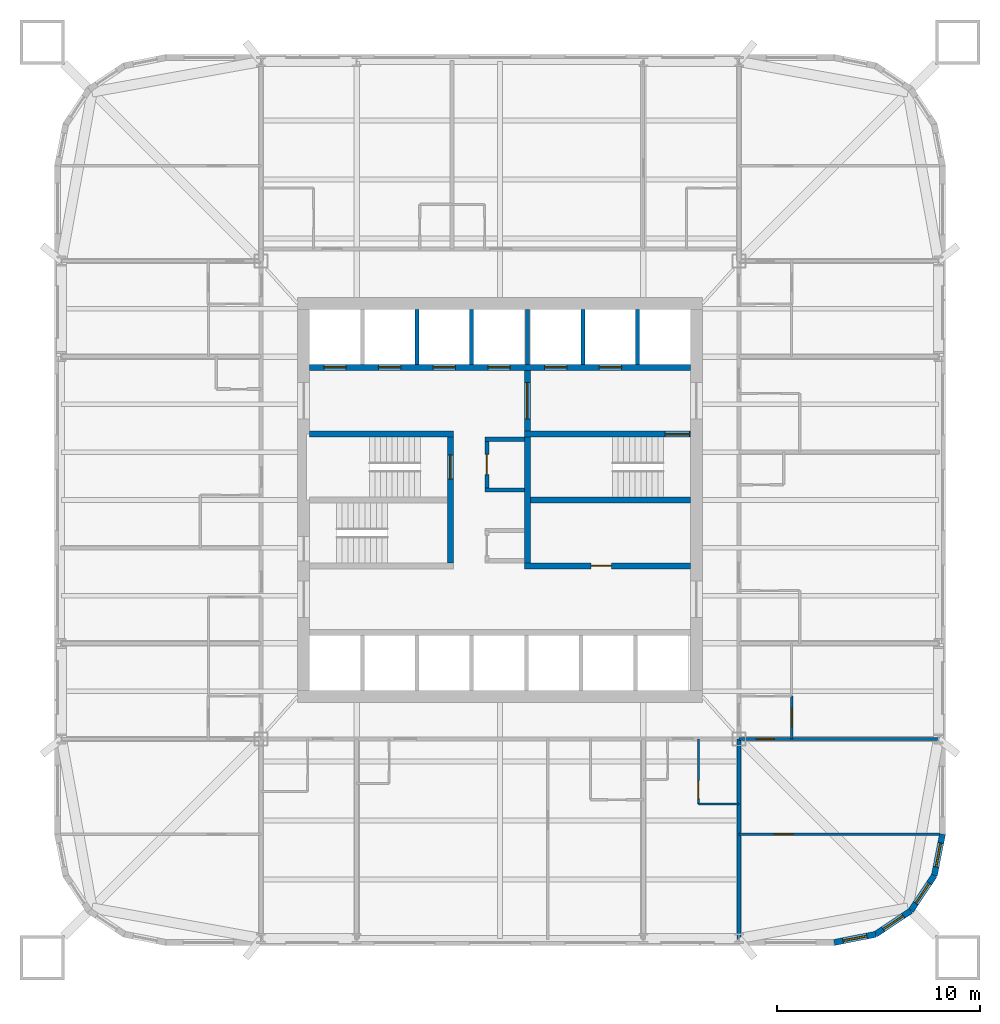
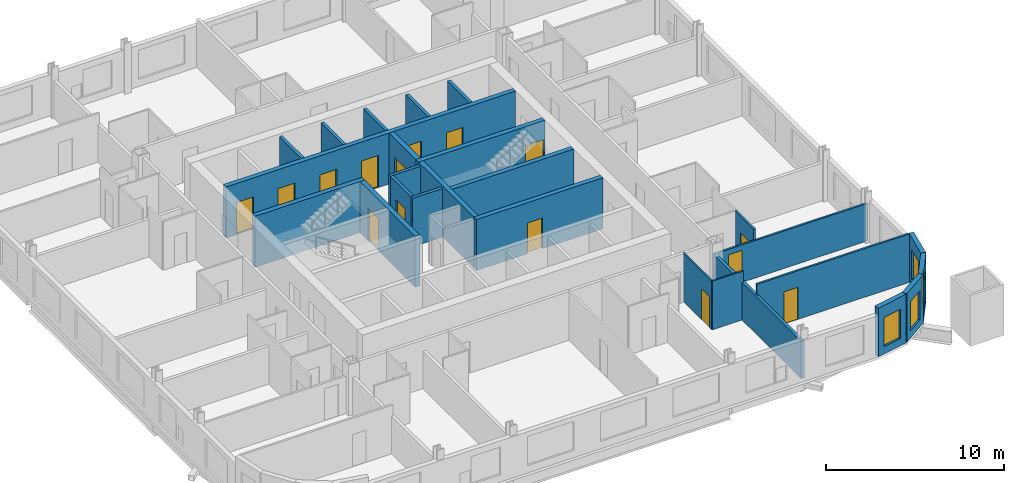
# One storey, part 5 of 10: 25 walls, 15 doors, 4 windows, 19 openings.
"""IFC4 building model written with IfcOpenShell, lengths in metres."""

from ifc_helpers import new_model, si_unit, direction, frame, frame_2d, origin, place, context, subcontext, project, spatial, rectangle, extrude, material, layer, layer_set, type_object, element, fill, save


model = new_model("IFC4")

# Units and contexts
model_context = context("Model", 3, precision=1e-05, world=origin(), true_north=direction((0.0, 1.0)))
body_context = subcontext(model_context, "Body", "Model", "MODEL_VIEW")
ifc_project = project(units=[si_unit("LENGTHUNIT", "METRE"), si_unit("AREAUNIT", "SQUARE_METRE"), si_unit("VOLUMEUNIT", "CUBIC_METRE"), si_unit("PLANEANGLEUNIT", "RADIAN"), si_unit("MASSUNIT", "GRAM", prefix="KILO")], contexts=[model_context])

# Site, building, storey
site_placement = place(None, origin())
site = spatial("IfcSite", under=ifc_project, at=site_placement, CompositionType="ELEMENT")
building_placement = place(site_placement, origin())
building = spatial("IfcBuilding", under=site, at=building_placement, Name="Turquesa Mirador Hotel Tower", CompositionType="ELEMENT")
storey_placement = place(building_placement, frame((0.0, 0.0, 39.0)))
storey = spatial("IfcBuildingStorey", under=building, at=storey_placement, Name="L09", CompositionType="ELEMENT", Elevation=39.0)

# Wall
ifc_material_1 = material(Name="Gypsum board on steel studs", Category="steel")
ifc_layer_1 = layer(ifc_material_1, 0.10009765625)
ifc_layer_set_1 = layer_set([ifc_layer_1], Name="BATHROOM WALL 100")
wall_type_1 = type_object("IfcWallType", Name="BATHROOM WALL 100", PredefinedType="PARTITIONING", material=ifc_layer_set_1)
wall_1_placement = place(storey_placement, frame((64.800048828125, 30.0, 0.0), z_axis=(0.0, 0.0, 1.0), x_axis=(1.0, 0.0, 0.0)))
element("IfcWall", 1, at=wall_1_placement, inside=storey, type_object=wall_type_1, Name="Partition L09 008", PredefinedType="PARTITIONING", context=body_context, shape_type="SweptSolid", body=[
    extrude(rectangle(XDim=2.0, YDim=0.10009765625, at=frame_2d((1.0, 0.0))), origin(), (0.0, 0.0, 1.0), 3.330078125),
])

# Wall, opening, door
wall_2_placement = place(storey_placement, frame((64.800048828125, 30.0, 0.0), z_axis=(0.0, 0.0, 1.0), x_axis=(0.0, 1.0, 0.0)))
wall_2 = element("IfcWall", 2, at=wall_2_placement, inside=storey, type_object=wall_type_1, Name="Partition L09 068", PredefinedType="PARTITIONING", context=body_context, shape_type="SweptSolid", body=[
    extrude(rectangle(XDim=3.199951171875, YDim=0.10009765625, at=frame_2d((1.60009765625, 0.0))), origin(), (0.0, 0.0, 1.0), 3.330078125),
])
opening_1_placement = place(wall_2_placement, frame((0.25, 0.0, 0.0)))
opening_1 = element("IfcOpeningElement", 3, at=opening_1_placement, cuts=wall_2, Name="Opening D02", PredefinedType="OPENING", context=body_context, shape_type="SweptSolid", body=[
    extrude(rectangle(XDim=0.89990234375, YDim=2.10009765625, at=frame_2d((0.449951171875, 1.050048828125))), frame((0.0, 0.06005859375, 0.0), z_axis=(0.0, -1.0, 0.0), x_axis=(1.0, 0.0, 0.0)), (0.0, 0.0, 1.0), 0.1201171875),
])
ifc_material_2 = material(Name="Timber veneered door", Category="wood")
door_type_1 = type_object("IfcDoorType", Name="DOOR 900X2100 EN-SUITE", OperationType="SINGLE_SWING_RIGHT", PredefinedType="DOOR", material=ifc_material_2)
door_1_placement = place(opening_1_placement, origin())
door_1 = element("IfcDoor", 4, at=door_1_placement, inside=storey, type_object=door_type_1, Name="Door 0905B", OperationType="SINGLE_SWING_RIGHT", OverallHeight=2.10009765625, OverallWidth=0.89990234375, PredefinedType="DOOR", context=body_context, shape_type="SweptSolid", body=[
    extrude(rectangle(XDim=0.89990234375, YDim=2.10009765625, at=frame_2d((0.449951171875, 1.050048828125))), frame((0.0, 0.02490234375, 0.0), z_axis=(0.0, -1.0, 0.0), x_axis=(1.0, 0.0, 0.0)), (0.0, 0.0, 1.0), 0.050048828125),
])
fill(opening_1, door_1)

# Wall, openings, doors
ifc_material_3 = material(Name="Concrete C50/60", Category="concrete")
ifc_layer_2 = layer(ifc_material_3, 0.300048828125)
ifc_layer_set_2 = layer_set([ifc_layer_2], Name="CORE INNER WALL 300")
wall_type_2 = type_object("IfcWallType", Name="CORE INNER WALL 300", PredefinedType="SHEAR", material=ifc_layer_set_2)
wall_3_placement = place(storey_placement, frame((45.60009765625, 51.550048828125, 0.0), z_axis=(0.0, 0.0, 1.0), x_axis=(1.0, 0.0, 0.0)))
wall_3 = element("IfcWall", 5, at=wall_3_placement, inside=storey, type_object=wall_type_2, Name="Core wall NL", PredefinedType="SHEAR", context=body_context, shape_type="SweptSolid", body=[
    extrude(rectangle(XDim=18.7998046875, YDim=0.300048828125, at=frame_2d((9.39990234375, 0.0))), origin(), (0.0, 0.0, 1.0), 3.5),
])
opening_2_placement = place(wall_3_placement, frame((0.699951171875, 0.0, 0.0)))
opening_2 = element("IfcOpeningElement", 6, at=opening_2_placement, cuts=wall_3, Name="Opening LD", PredefinedType="OPENING", context=body_context, shape_type="SweptSolid", body=[
    extrude(rectangle(XDim=1.10009765625, YDim=2.199951171875, at=frame_2d((0.550048828125, 1.10009765625))), frame((0.0, 0.159912109375, 0.0), z_axis=(0.0, -1.0, 0.0), x_axis=(1.0, 0.0, 0.0)), (0.0, 0.0, 1.0), 0.320068359375),
])
opening_3_placement = place(wall_3_placement, frame((3.39990234375, 0.0, 0.0)))
opening_3 = element("IfcOpeningElement", 7, at=opening_3_placement, cuts=wall_3, Name="Opening LD", PredefinedType="OPENING", context=body_context, shape_type="SweptSolid", body=[
    extrude(rectangle(XDim=1.10009765625, YDim=2.199951171875, at=frame_2d((0.550048828125, 1.10009765625))), frame((0.0, 0.159912109375, 0.0), z_axis=(0.0, -1.0, 0.0), x_axis=(1.0, 0.0, 0.0)), (0.0, 0.0, 1.0), 0.320068359375),
])
opening_4_placement = place(wall_3_placement, frame((6.10009765625, 0.0, 0.0)))
opening_4 = element("IfcOpeningElement", 8, at=opening_4_placement, cuts=wall_3, Name="Opening LD", PredefinedType="OPENING", context=body_context, shape_type="SweptSolid", body=[
    extrude(rectangle(XDim=1.10009765625, YDim=2.199951171875, at=frame_2d((0.550048828125, 1.10009765625))), frame((0.0, 0.159912109375, 0.0), z_axis=(0.0, -1.0, 0.0), x_axis=(1.0, 0.0, 0.0)), (0.0, 0.0, 1.0), 0.320068359375),
])
opening_5_placement = place(wall_3_placement, frame((8.800048828125, 0.0, 0.0)))
opening_5 = element("IfcOpeningElement", 9, at=opening_5_placement, cuts=wall_3, Name="Opening LD", PredefinedType="OPENING", context=body_context, shape_type="SweptSolid", body=[
    extrude(rectangle(XDim=1.10009765625, YDim=2.199951171875, at=frame_2d((0.550048828125, 1.10009765625))), frame((0.0, 0.159912109375, 0.0), z_axis=(0.0, -1.0, 0.0), x_axis=(1.0, 0.0, 0.0)), (0.0, 0.0, 1.0), 0.320068359375),
])
opening_6_placement = place(wall_3_placement, frame((11.60009765625, 0.0, 0.0)))
opening_6 = element("IfcOpeningElement", 10, at=opening_6_placement, cuts=wall_3, Name="Opening LD", PredefinedType="OPENING", context=body_context, shape_type="SweptSolid", body=[
    extrude(rectangle(XDim=1.10009765625, YDim=2.199951171875, at=frame_2d((0.550048828125, 1.10009765625))), frame((0.0, 0.159912109375, 0.0), z_axis=(0.0, -1.0, 0.0), x_axis=(1.0, 0.0, 0.0)), (0.0, 0.0, 1.0), 0.320068359375),
])
opening_7_placement = place(wall_3_placement, frame((14.300048828125, 0.0, 0.0)))
opening_7 = element("IfcOpeningElement", 11, at=opening_7_placement, cuts=wall_3, Name="Opening LD", PredefinedType="OPENING", context=body_context, shape_type="SweptSolid", body=[
    extrude(rectangle(XDim=1.10009765625, YDim=2.199951171875, at=frame_2d((0.550048828125, 1.10009765625))), frame((0.0, 0.159912109375, 0.0), z_axis=(0.0, -1.0, 0.0), x_axis=(1.0, 0.0, 0.0)), (0.0, 0.0, 1.0), 0.320068359375),
])
ifc_material_4 = material(Name="Stainless steel lift landing door", Category="steel")
door_type_2 = type_object("IfcDoorType", Name="LIFT LANDING DOOR 1100X2200", OperationType="SLIDING_TO_LEFT", PredefinedType="DOOR", material=ifc_material_4)
door_2_placement = place(opening_2_placement, origin())
door_2 = element("IfcDoor", 12, at=door_2_placement, inside=storey, type_object=door_type_2, Name="Lift A1 landing door", OperationType="SLIDING_TO_LEFT", OverallHeight=2.199951171875, OverallWidth=1.10009765625, PredefinedType="DOOR", context=body_context, shape_type="SweptSolid", body=[
    extrude(rectangle(XDim=1.10009765625, YDim=2.199951171875, at=frame_2d((0.550048828125, 1.10009765625))), frame((0.0, 0.02490234375, 0.0), z_axis=(0.0, -1.0, 0.0), x_axis=(1.0, 0.0, 0.0)), (0.0, 0.0, 1.0), 0.050048828125),
])
fill(opening_2, door_2)
door_3_placement = place(opening_3_placement, origin())
door_3 = element("IfcDoor", 13, at=door_3_placement, inside=storey, type_object=door_type_2, Name="Lift A2 landing door", OperationType="SLIDING_TO_LEFT", OverallHeight=2.199951171875, OverallWidth=1.10009765625, PredefinedType="DOOR", context=body_context, shape_type="SweptSolid", body=[
    extrude(rectangle(XDim=1.10009765625, YDim=2.199951171875, at=frame_2d((0.550048828125, 1.10009765625))), frame((0.0, 0.02490234375, 0.0), z_axis=(0.0, -1.0, 0.0), x_axis=(1.0, 0.0, 0.0)), (0.0, 0.0, 1.0), 0.050048828125),
])
fill(opening_3, door_3)
door_4_placement = place(opening_4_placement, origin())
door_4 = element("IfcDoor", 14, at=door_4_placement, inside=storey, type_object=door_type_2, Name="Lift A3 landing door", OperationType="SLIDING_TO_LEFT", OverallHeight=2.199951171875, OverallWidth=1.10009765625, PredefinedType="DOOR", context=body_context, shape_type="SweptSolid", body=[
    extrude(rectangle(XDim=1.10009765625, YDim=2.199951171875, at=frame_2d((0.550048828125, 1.10009765625))), frame((0.0, 0.02490234375, 0.0), z_axis=(0.0, -1.0, 0.0), x_axis=(1.0, 0.0, 0.0)), (0.0, 0.0, 1.0), 0.050048828125),
])
fill(opening_4, door_4)
door_5_placement = place(opening_5_placement, origin())
door_5 = element("IfcDoor", 15, at=door_5_placement, inside=storey, type_object=door_type_2, Name="Lift A4 landing door", OperationType="SLIDING_TO_LEFT", OverallHeight=2.199951171875, OverallWidth=1.10009765625, PredefinedType="DOOR", context=body_context, shape_type="SweptSolid", body=[
    extrude(rectangle(XDim=1.10009765625, YDim=2.199951171875, at=frame_2d((0.550048828125, 1.10009765625))), frame((0.0, 0.02490234375, 0.0), z_axis=(0.0, -1.0, 0.0), x_axis=(1.0, 0.0, 0.0)), (0.0, 0.0, 1.0), 0.050048828125),
])
fill(opening_5, door_5)
door_6_placement = place(opening_6_placement, origin())
door_6 = element("IfcDoor", 16, at=door_6_placement, inside=storey, type_object=door_type_2, Name="Lift S1 landing door", OperationType="SLIDING_TO_LEFT", OverallHeight=2.199951171875, OverallWidth=1.10009765625, PredefinedType="DOOR", context=body_context, shape_type="SweptSolid", body=[
    extrude(rectangle(XDim=1.10009765625, YDim=2.199951171875, at=frame_2d((0.550048828125, 1.10009765625))), frame((0.0, 0.02490234375, 0.0), z_axis=(0.0, -1.0, 0.0), x_axis=(1.0, 0.0, 0.0)), (0.0, 0.0, 1.0), 0.050048828125),
])
fill(opening_6, door_6)
door_7_placement = place(opening_7_placement, origin())
door_7 = element("IfcDoor", 17, at=door_7_placement, inside=storey, type_object=door_type_2, Name="Lift S2 landing door", OperationType="SLIDING_TO_LEFT", OverallHeight=2.199951171875, OverallWidth=1.10009765625, PredefinedType="DOOR", context=body_context, shape_type="SweptSolid", body=[
    extrude(rectangle(XDim=1.10009765625, YDim=2.199951171875, at=frame_2d((0.550048828125, 1.10009765625))), frame((0.0, 0.02490234375, 0.0), z_axis=(0.0, -1.0, 0.0), x_axis=(1.0, 0.0, 0.0)), (0.0, 0.0, 1.0), 0.050048828125),
])
fill(opening_7, door_7)

# Wall
wall_4_placement = place(storey_placement, frame((45.60009765625, 48.25, 0.0), z_axis=(0.0, 0.0, 1.0), x_axis=(1.0, 0.0, 0.0)))
element("IfcWall", 18, at=wall_4_placement, inside=storey, type_object=wall_type_2, Name="Core wall MN-W", PredefinedType="SHEAR", context=body_context, shape_type="SweptSolid", body=[
    extrude(rectangle(XDim=7.099853515625, YDim=0.300048828125, at=frame_2d((3.5498046875, 0.0))), origin(), (0.0, 0.0, 1.0), 3.5),
])

# Wall, opening, door
wall_5_placement = place(storey_placement, frame((56.199951171875, 48.25, 0.0), z_axis=(0.0, 0.0, 1.0), x_axis=(1.0, 0.0, 0.0)))
wall_5 = element("IfcWall", 19, at=wall_5_placement, inside=storey, type_object=wall_type_2, Name="Core wall MN-E", PredefinedType="SHEAR", context=body_context, shape_type="SweptSolid", body=[
    extrude(rectangle(XDim=8.199951171875, YDim=0.300048828125, at=frame_2d((4.10009765625, 0.0))), origin(), (0.0, 0.0, 1.0), 3.5),
])
opening_8_placement = place(wall_5_placement, frame((6.949951171875, 0.0, 0.0)))
opening_8 = element("IfcOpeningElement", 20, at=opening_8_placement, cuts=wall_5, Name="Opening D03", PredefinedType="OPENING", context=body_context, shape_type="SweptSolid", body=[
    extrude(rectangle(XDim=1.199951171875, YDim=2.199951171875, at=frame_2d((0.60009765625, 1.10009765625))), frame((0.0, 0.159912109375, 0.0), z_axis=(0.0, -1.0, 0.0), x_axis=(1.0, 0.0, 0.0)), (0.0, 0.0, 1.0), 0.320068359375),
])
ifc_material_5 = material(Name="Steel fire door", Category="steel")
door_type_3 = type_object("IfcDoorType", Name="DOOR 1200X2200 STAIR", OperationType="SINGLE_SWING_LEFT", PredefinedType="DOOR", material=ifc_material_5)
door_8_placement = place(opening_8_placement, origin())
door_8 = element("IfcDoor", 21, at=door_8_placement, inside=storey, type_object=door_type_3, Name="Stair ST3 door", OperationType="SINGLE_SWING_LEFT", OverallHeight=2.199951171875, OverallWidth=1.199951171875, PredefinedType="DOOR", context=body_context, shape_type="SweptSolid", body=[
    extrude(rectangle(XDim=1.199951171875, YDim=2.199951171875, at=frame_2d((0.60009765625, 1.10009765625))), frame((0.0, 0.02490234375, 0.0), z_axis=(0.0, -1.0, 0.0), x_axis=(1.0, 0.0, 0.0)), (0.0, 0.0, 1.0), 0.050048828125),
])
fill(opening_8, door_8)

wall_6_placement = place(storey_placement, frame((56.199951171875, 41.75, 0.0), z_axis=(0.0, 0.0, 1.0), x_axis=(1.0, 0.0, 0.0)))
wall_6 = element("IfcWall", 22, at=wall_6_placement, inside=storey, type_object=wall_type_2, Name="Core wall MS-E", PredefinedType="SHEAR", context=body_context, shape_type="SweptSolid", body=[
    extrude(rectangle(XDim=8.199951171875, YDim=0.300048828125, at=frame_2d((4.10009765625, 0.0))), origin(), (0.0, 0.0, 1.0), 3.5),
])
opening_9_placement = place(wall_6_placement, frame((3.300048828125, 0.0, 0.0)))
opening_9 = element("IfcOpeningElement", 23, at=opening_9_placement, cuts=wall_6, Name="Opening D05", PredefinedType="OPENING", context=body_context, shape_type="SweptSolid", body=[
    extrude(rectangle(XDim=1.0, YDim=2.10009765625, at=frame_2d((0.5, 1.050048828125))), frame((0.0, 0.159912109375, 0.0), z_axis=(0.0, -1.0, 0.0), x_axis=(1.0, 0.0, 0.0)), (0.0, 0.0, 1.0), 0.320068359375),
])
ifc_material_6 = material(Name="Steel fire door", Category="steel")
door_type_4 = type_object("IfcDoorType", Name="DOOR 1000X2100 SERVICE", OperationType="SINGLE_SWING_LEFT", PredefinedType="DOOR", material=ifc_material_6)
door_9_placement = place(opening_9_placement, origin())
door_9 = element("IfcDoor", 24, at=door_9_placement, inside=storey, type_object=door_type_4, Name="Housekeeping room door", OperationType="SINGLE_SWING_LEFT", OverallHeight=2.10009765625, OverallWidth=1.0, PredefinedType="DOOR", context=body_context, shape_type="SweptSolid", body=[
    extrude(rectangle(XDim=1.0, YDim=2.10009765625, at=frame_2d((0.5, 1.050048828125))), frame((0.0, 0.02490234375, 0.0), z_axis=(0.0, -1.0, 0.0), x_axis=(1.0, 0.0, 0.0)), (0.0, 0.0, 1.0), 0.050048828125),
])
fill(opening_9, door_9)

wall_7_placement = place(storey_placement, frame((52.550048828125, 41.89990234375, 0.0), z_axis=(0.0, 0.0, 1.0), x_axis=(0.0, 1.0, 0.0)))
wall_7 = element("IfcWall", 25, at=wall_7_placement, inside=storey, type_object=wall_type_2, Name="Core wall PW", PredefinedType="SHEAR", context=body_context, shape_type="SweptSolid", body=[
    extrude(rectangle(XDim=6.2001953125, YDim=0.300048828125, at=frame_2d((3.10009765625, 0.0))), origin(), (0.0, 0.0, 1.0), 3.5),
])
opening_10_placement = place(wall_7_placement, frame((4.125, 0.0, 0.0)))
opening_10 = element("IfcOpeningElement", 26, at=opening_10_placement, cuts=wall_7, Name="Opening D03", PredefinedType="OPENING", context=body_context, shape_type="SweptSolid", body=[
    extrude(rectangle(XDim=1.199951171875, YDim=2.199951171875, at=frame_2d((0.60009765625, 1.10009765625))), frame((0.0, 0.159912109375, 0.0), z_axis=(0.0, -1.0, 0.0), x_axis=(1.0, 0.0, 0.0)), (0.0, 0.0, 1.0), 0.320068359375),
])
door_10_placement = place(opening_10_placement, origin())
door_10 = element("IfcDoor", 27, at=door_10_placement, inside=storey, type_object=door_type_3, Name="Stair ST1 door", OperationType="SINGLE_SWING_LEFT", OverallHeight=2.199951171875, OverallWidth=1.199951171875, PredefinedType="DOOR", context=body_context, shape_type="SweptSolid", body=[
    extrude(rectangle(XDim=1.199951171875, YDim=2.199951171875, at=frame_2d((0.60009765625, 1.10009765625))), frame((0.0, 0.02490234375, 0.0), z_axis=(0.0, -1.0, 0.0), x_axis=(1.0, 0.0, 0.0)), (0.0, 0.0, 1.0), 0.050048828125),
])
fill(opening_10, door_10)

wall_8_placement = place(storey_placement, frame((56.35009765625, 41.89990234375, 0.0), z_axis=(0.0, 0.0, 1.0), x_axis=(0.0, 1.0, 0.0)))
wall_8 = element("IfcWall", 28, at=wall_8_placement, inside=storey, type_object=wall_type_2, Name="Core wall PE", PredefinedType="SHEAR", context=body_context, shape_type="SweptSolid", body=[
    extrude(rectangle(XDim=9.5, YDim=0.300048828125, at=frame_2d((4.75, 0.0))), origin(), (0.0, 0.0, 1.0), 3.5),
])
opening_11_placement = place(wall_8_placement, frame((7.10009765625, 0.0, 0.0)))
opening_11 = element("IfcOpeningElement", 29, at=opening_11_placement, cuts=wall_8, Name="Opening D04", PredefinedType="OPENING", context=body_context, shape_type="SweptSolid", body=[
    extrude(rectangle(XDim=1.800048828125, YDim=2.199951171875, at=frame_2d((0.89990234375, 1.10009765625))), frame((0.0, 0.159912109375, 0.0), z_axis=(0.0, -1.0, 0.0), x_axis=(1.0, 0.0, 0.0)), (0.0, 0.0, 1.0), 0.320068359375),
])
ifc_material_7 = material(Name="Steel fire door pair", Category="steel")
door_type_5 = type_object("IfcDoorType", Name="DOOR 1800X2200 PAIR", OperationType="DOUBLE_DOOR_SINGLE_SWING", PredefinedType="DOOR", material=ifc_material_7)
door_11_placement = place(opening_11_placement, origin())
door_11 = element("IfcDoor", 30, at=door_11_placement, inside=storey, type_object=door_type_5, Name="Firefighting lobby inner door", OperationType="DOUBLE_DOOR_SINGLE_SWING", OverallHeight=2.199951171875, OverallWidth=1.800048828125, PredefinedType="DOOR", context=body_context, shape_type="SweptSolid", body=[
    extrude(rectangle(XDim=1.800048828125, YDim=2.199951171875, at=frame_2d((0.89990234375, 1.10009765625))), frame((0.0, 0.02490234375, 0.0), z_axis=(0.0, -1.0, 0.0), x_axis=(1.0, 0.0, 0.0)), (0.0, 0.0, 1.0), 0.050048828125),
])
fill(opening_11, door_11)

# Wall
wall_9_placement = place(storey_placement, frame((56.5, 45.0, 0.0), z_axis=(0.0, 0.0, 1.0), x_axis=(1.0, 0.0, 0.0)))
element("IfcWall", 31, at=wall_9_placement, inside=storey, type_object=wall_type_2, Name="Core wall M0-E", PredefinedType="SHEAR", context=body_context, shape_type="SweptSolid", body=[
    extrude(rectangle(XDim=7.89990234375, YDim=0.300048828125, at=frame_2d((3.949951171875, 0.0))), origin(), (0.0, 0.0, 1.0), 3.5),
])

# Wall, opening, window
ifc_material_8 = material(Name="Limestone cladding on concrete block", Category="masonry")
ifc_layer_3 = layer(ifc_material_8, 0.300048828125)
ifc_layer_set_3 = layer_set([ifc_layer_3], Name="FACADE WALL 300 STONE SCREEN")
wall_type_3 = type_object("IfcWallType", Name="FACADE WALL 300 STONE SCREEN", PredefinedType="SOLIDWALL", material=ifc_layer_set_3)
wall_10_placement = place(storey_placement, frame((71.5, 23.14990234375, 0.0), z_axis=(0.0, 0.0, 1.0), x_axis=(0.980787050784, 0.195081421501, 0.0)))
wall_10 = element("IfcWall", 32, at=wall_10_placement, inside=storey, type_object=wall_type_3, Name="Facade wall L09 00", PredefinedType="SOLIDWALL", context=body_context, shape_type="SweptSolid", body=[
    extrude(rectangle(XDim=2.08740234375, YDim=0.300048828125, at=frame_2d((1.043701171875, 0.0))), origin(), (0.0, 0.0, 1.0), 3.330078125),
])
opening_12_placement = place(wall_10_placement, frame((0.443603515625, 0.0, 0.5)))
opening_12 = element("IfcOpeningElement", 33, at=opening_12_placement, cuts=wall_10, Name="Opening WN4", PredefinedType="OPENING", context=body_context, shape_type="SweptSolid", body=[
    extrude(rectangle(XDim=1.199951171875, YDim=2.0, at=frame_2d((0.60009765625, 1.0))), frame((0.0, 0.159912109375, 0.0), z_axis=(0.0, -1.0, 0.0), x_axis=(1.0, 0.0, 0.0)), (0.0, 0.0, 1.0), 0.320068359375),
])
ifc_material_9 = material(Name="Ceramic-fritted laminated glass", Category="glass")
window_type = type_object("IfcWindowType", Name="FRITTED CORNER WINDOW 1200X2000", PartitioningType="DOUBLE_PANEL_HORIZONTAL", PredefinedType="WINDOW", material=ifc_material_9)
window_1_placement = place(opening_12_placement, origin())
window_1 = element("IfcWindow", 34, at=window_1_placement, inside=storey, type_object=window_type, Name="Window L09", OverallHeight=2.0, OverallWidth=1.199951171875, PartitioningType="SINGLE_PANEL", PredefinedType="WINDOW", context=body_context, shape_type="SweptSolid", body=[
    extrude(rectangle(XDim=1.199951171875, YDim=2.0, at=frame_2d((0.60009765625, 1.0))), frame((0.0, 0.030029296875, 0.0), z_axis=(0.0, -1.0, 0.0), x_axis=(1.0, 0.0, 0.0)), (0.0, 0.0, 1.0), 0.06005859375),
])
fill(opening_12, window_1)

wall_11_placement = place(storey_placement, frame((73.54736328125, 23.55712890625, 0.0), z_axis=(0.0, 0.0, 1.0), x_axis=(0.831420010345, 0.555644460423, 0.0)))
wall_11 = element("IfcWall", 35, at=wall_11_placement, inside=storey, type_object=wall_type_3, Name="Facade wall L09 01", PredefinedType="SOLIDWALL", context=body_context, shape_type="SweptSolid", body=[
    extrude(rectangle(XDim=2.08740234375, YDim=0.300048828125, at=frame_2d((1.043701171875, 0.0))), origin(), (0.0, 0.0, 1.0), 3.330078125),
])
opening_13_placement = place(wall_11_placement, frame((0.443603515625, 0.0, 0.5)))
opening_13 = element("IfcOpeningElement", 36, at=opening_13_placement, cuts=wall_11, Name="Opening WN4", PredefinedType="OPENING", context=body_context, shape_type="SweptSolid", body=[
    extrude(rectangle(XDim=1.199951171875, YDim=2.0, at=frame_2d((0.60009765625, 1.0))), frame((0.0, 0.159912109375, 0.0), z_axis=(0.0, -1.0, 0.0), x_axis=(1.0, 0.0, 0.0)), (0.0, 0.0, 1.0), 0.320068359375),
])
window_2_placement = place(opening_13_placement, origin())
window_2 = element("IfcWindow", 37, at=window_2_placement, inside=storey, type_object=window_type, Name="Window L09", OverallHeight=2.0, OverallWidth=1.199951171875, PartitioningType="SINGLE_PANEL", PredefinedType="WINDOW", context=body_context, shape_type="SweptSolid", body=[
    extrude(rectangle(XDim=1.199951171875, YDim=2.0, at=frame_2d((0.60009765625, 1.0))), frame((0.0, 0.030029296875, 0.0), z_axis=(0.0, -1.0, 0.0), x_axis=(1.0, 0.0, 0.0)), (0.0, 0.0, 1.0), 0.06005859375),
])
fill(opening_13, window_2)

wall_12_placement = place(storey_placement, frame((75.282958984375, 24.717041015625, 0.0), z_axis=(0.0, 0.0, 1.0), x_axis=(0.555644460423, 0.831420010345, 0.0)))
wall_12 = element("IfcWall", 38, at=wall_12_placement, inside=storey, type_object=wall_type_3, Name="Facade wall L09 02", PredefinedType="SOLIDWALL", context=body_context, shape_type="SweptSolid", body=[
    extrude(rectangle(XDim=2.08740234375, YDim=0.300048828125, at=frame_2d((1.043701171875, 0.0))), origin(), (0.0, 0.0, 1.0), 3.330078125),
])
opening_14_placement = place(wall_12_placement, frame((0.443603515625, 0.0, 0.5)))
opening_14 = element("IfcOpeningElement", 39, at=opening_14_placement, cuts=wall_12, Name="Opening WN4", PredefinedType="OPENING", context=body_context, shape_type="SweptSolid", body=[
    extrude(rectangle(XDim=1.199951171875, YDim=2.0, at=frame_2d((0.60009765625, 1.0))), frame((0.0, 0.159912109375, 0.0), z_axis=(0.0, -1.0, 0.0), x_axis=(1.0, 0.0, 0.0)), (0.0, 0.0, 1.0), 0.320068359375),
])
window_3_placement = place(opening_14_placement, origin())
window_3 = element("IfcWindow", 40, at=window_3_placement, inside=storey, type_object=window_type, Name="Window L09", OverallHeight=2.0, OverallWidth=1.199951171875, PartitioningType="SINGLE_PANEL", PredefinedType="WINDOW", context=body_context, shape_type="SweptSolid", body=[
    extrude(rectangle(XDim=1.199951171875, YDim=2.0, at=frame_2d((0.60009765625, 1.0))), frame((0.0, 0.030029296875, 0.0), z_axis=(0.0, -1.0, 0.0), x_axis=(1.0, 0.0, 0.0)), (0.0, 0.0, 1.0), 0.06005859375),
])
fill(opening_14, window_3)

wall_13_placement = place(storey_placement, frame((76.44287109375, 26.45263671875, 0.0), z_axis=(0.0, 0.0, 1.0), x_axis=(0.195081421501, 0.980787050784, 0.0)))
wall_13 = element("IfcWall", 41, at=wall_13_placement, inside=storey, type_object=wall_type_3, Name="Facade wall L09 03", PredefinedType="SOLIDWALL", context=body_context, shape_type="SweptSolid", body=[
    extrude(rectangle(XDim=2.08740234375, YDim=0.300048828125, at=frame_2d((1.043701171875, 0.0))), origin(), (0.0, 0.0, 1.0), 3.330078125),
])
opening_15_placement = place(wall_13_placement, frame((0.443603515625, 0.0, 0.5)))
opening_15 = element("IfcOpeningElement", 42, at=opening_15_placement, cuts=wall_13, Name="Opening WN4", PredefinedType="OPENING", context=body_context, shape_type="SweptSolid", body=[
    extrude(rectangle(XDim=1.199951171875, YDim=2.0, at=frame_2d((0.60009765625, 1.0))), frame((0.0, 0.159912109375, 0.0), z_axis=(0.0, -1.0, 0.0), x_axis=(1.0, 0.0, 0.0)), (0.0, 0.0, 1.0), 0.320068359375),
])
window_4_placement = place(opening_15_placement, origin())
window_4 = element("IfcWindow", 43, at=window_4_placement, inside=storey, type_object=window_type, Name="Window L09", OverallHeight=2.0, OverallWidth=1.199951171875, PartitioningType="SINGLE_PANEL", PredefinedType="WINDOW", context=body_context, shape_type="SweptSolid", body=[
    extrude(rectangle(XDim=1.199951171875, YDim=2.0, at=frame_2d((0.60009765625, 1.0))), frame((0.0, 0.030029296875, 0.0), z_axis=(0.0, -1.0, 0.0), x_axis=(1.0, 0.0, 0.0)), (0.0, 0.0, 1.0), 0.06005859375),
])
fill(opening_15, window_4)

# Wall, opening, door
ifc_material_10 = material(Name="Fire-rated gypsum board on steel studs", Category="steel")
ifc_layer_4 = layer(ifc_material_10, 0.199951171875)
ifc_layer_set_4 = layer_set([ifc_layer_4], Name="FIRE PARTITION 200")
wall_type_4 = type_object("IfcWallType", Name="FIRE PARTITION 200", PredefinedType="PARTITIONING", material=ifc_layer_set_4)
wall_14_placement = place(storey_placement, frame((54.35009765625, 45.5, 0.0), z_axis=(0.0, 0.0, 1.0), x_axis=(0.0, 1.0, 0.0)))
wall_14 = element("IfcWall", 44, at=wall_14_placement, inside=storey, type_object=wall_type_4, Name="Partition L09 RS W", PredefinedType="PARTITIONING", context=body_context, shape_type="SweptSolid", body=[
    extrude(rectangle(XDim=2.5, YDim=0.199951171875, at=frame_2d((1.25, 0.0))), origin(), (0.0, 0.0, 1.0), 3.330078125),
])
opening_16_placement = place(wall_14_placement, frame((0.75, 0.0, 0.0)))
opening_16 = element("IfcOpeningElement", 45, at=opening_16_placement, cuts=wall_14, Name="Opening D05", PredefinedType="OPENING", context=body_context, shape_type="SweptSolid", body=[
    extrude(rectangle(XDim=1.0, YDim=2.10009765625, at=frame_2d((0.5, 1.050048828125))), frame((0.0, 0.10986328125, 0.0), z_axis=(0.0, -1.0, 0.0), x_axis=(1.0, 0.0, 0.0)), (0.0, 0.0, 1.0), 0.219970703125),
])
door_12_placement = place(opening_16_placement, origin())
door_12 = element("IfcDoor", 46, at=door_12_placement, inside=storey, type_object=door_type_4, Name="Room service pantry door", OperationType="SINGLE_SWING_LEFT", OverallHeight=2.10009765625, OverallWidth=1.0, PredefinedType="DOOR", context=body_context, shape_type="SweptSolid", body=[
    extrude(rectangle(XDim=1.0, YDim=2.10009765625, at=frame_2d((0.5, 1.050048828125))), frame((0.0, 0.02490234375, 0.0), z_axis=(0.0, -1.0, 0.0), x_axis=(1.0, 0.0, 0.0)), (0.0, 0.0, 1.0), 0.050048828125),
])
fill(opening_16, door_12)

# Walls
for number, where, z_axis, x_axis, name in (
    (47, (54.25, 45.5, 0.0), (0.0, 0.0, 1.0), (1.0, 0.0, 0.0), "Partition L09 RS S"),
    (48, (54.25, 48.0, 0.0), (0.0, 0.0, 1.0), (1.0, 0.0, 0.0), "Partition L09 RS N"),
):
    element("IfcWall", number, at=place(storey_placement, frame(where, z_axis=z_axis, x_axis=x_axis)), inside=storey, type_object=wall_type_4, Name=name, PredefinedType="PARTITIONING", context=body_context, shape_type="SweptSolid", body=[
        extrude(rectangle(XDim=1.949951171875, YDim=0.199951171875, at=frame_2d((0.97509765625, 0.0))), origin(), (0.0, 0.0, 1.0), 3.330078125),
    ])
ifc_material_11 = material(Name="Fire-rated gypsum shaft wall on steel studs", Category="steel")
ifc_layer_5 = layer(ifc_material_11, 0.199951171875)
ifc_layer_set_5 = layer_set([ifc_layer_5], Name="LIFT SHAFT DIVIDER 200")
wall_type_5 = type_object("IfcWallType", Name="LIFT SHAFT DIVIDER 200", PredefinedType="PARTITIONING", material=ifc_layer_set_5)
for number, where, z_axis, x_axis, name in (
    (49, (50.89990234375, 51.699951171875, 0.0), (0.0, 0.0, 1.0), (0.0, 1.0, 0.0), "Lift shaft divider"),
    (50, (53.60009765625, 51.699951171875, 0.0), (0.0, 0.0, 1.0), (0.0, 1.0, 0.0), "Lift shaft divider"),
    (51, (59.10009765625, 51.699951171875, 0.0), (0.0, 0.0, 1.0), (0.0, 1.0, 0.0), "Lift shaft divider"),
    (52, (61.800048828125, 51.699951171875, 0.0), (0.0, 0.0, 1.0), (0.0, 1.0, 0.0), "Lift shaft divider"),
    (53, (56.35009765625, 51.699951171875, 0.0), (0.0, 0.0, 1.0), (0.0, 1.0, 0.0), "Lift shaft divider"),
):
    element("IfcWall", number, at=place(storey_placement, frame(where, z_axis=z_axis, x_axis=x_axis)), inside=storey, type_object=wall_type_5, Name=name, PredefinedType="PARTITIONING", context=body_context, shape_type="SweptSolid", body=[
        extrude(rectangle(XDim=2.699951171875, YDim=0.199951171875, at=frame_2d((1.35009765625, 0.0))), origin(), (0.0, 0.0, 1.0), 3.330078125),
    ])
ifc_material_12 = material(Name="Fire-rated gypsum board on steel studs", Category="steel")
ifc_layer_6 = layer(ifc_material_12, 0.199951171875)
ifc_layer_set_6 = layer_set([ifc_layer_6], Name="PARTY WALL 200")
wall_type_6 = type_object("IfcWallType", Name="PARTY WALL 200", PredefinedType="PARTITIONING", material=ifc_layer_set_6)
wall_15_placement = place(storey_placement, frame((66.800048828125, 23.300048828125, 0.0), z_axis=(0.0, 0.0, 1.0), x_axis=(0.0, 1.0, 0.0)))
element("IfcWall", 54, at=wall_15_placement, inside=storey, type_object=wall_type_6, Name="Partition L09 053", PredefinedType="PARTITIONING", context=body_context, shape_type="SweptSolid", body=[
    extrude(rectangle(XDim=9.89990234375, YDim=0.199951171875, at=frame_2d((4.949951171875, 0.0))), origin(), (0.0, 0.0, 1.0), 2.572998046875),
])

# Wall, opening, door
ifc_material_13 = material(Name="Acoustic gypsum board on steel studs", Category="steel")
ifc_layer_7 = layer(ifc_material_13, 0.125)
ifc_layer_set_7 = layer_set([ifc_layer_7], Name="SUITE PARTITION 125")
wall_type_7 = type_object("IfcWallType", Name="SUITE PARTITION 125", PredefinedType="PARTITIONING", material=ifc_layer_set_7)
wall_16_placement = place(storey_placement, frame((66.800048828125, 33.199951171875, 0.0), z_axis=(0.0, 0.0, 1.0), x_axis=(1.0, 0.0, 0.0)))
wall_16 = element("IfcWall", 55, at=wall_16_placement, inside=storey, type_object=wall_type_7, Name="Partition L09 003", PredefinedType="PARTITIONING", context=body_context, shape_type="SweptSolid", body=[
    extrude(rectangle(XDim=9.89990234375, YDim=0.125, at=frame_2d((4.949951171875, 0.0))), origin(), (0.0, 0.0, 1.0), 2.572998046875),
])
opening_17_placement = place(wall_16_placement, frame((0.85009765625, 0.0, 0.0)))
opening_17 = element("IfcOpeningElement", 56, at=opening_17_placement, cuts=wall_16, Name="Opening D17", PredefinedType="OPENING", context=body_context, shape_type="SweptSolid", body=[
    extrude(rectangle(XDim=0.89990234375, YDim=2.199951171875, at=frame_2d((0.449951171875, 1.10009765625))), frame((0.0, 0.072509765625, 0.0), z_axis=(0.0, -1.0, 0.0), x_axis=(1.0, 0.0, 0.0)), (0.0, 0.0, 1.0), 0.14501953125),
])
ifc_material_14 = material(Name="Timber veneered door", Category="wood")
door_type_6 = type_object("IfcDoorType", Name="DOOR 900X2200 SUITE INTERNAL", OperationType="SINGLE_SWING_LEFT", PredefinedType="DOOR", material=ifc_material_14)
door_13_placement = place(opening_17_placement, origin())
door_13 = element("IfcDoor", 57, at=door_13_placement, inside=storey, type_object=door_type_6, Name="Door 0913", OperationType="SINGLE_SWING_LEFT", OverallHeight=2.199951171875, OverallWidth=0.89990234375, PredefinedType="DOOR", context=body_context, shape_type="SweptSolid", body=[
    extrude(rectangle(XDim=0.89990234375, YDim=2.199951171875, at=frame_2d((0.449951171875, 1.10009765625))), frame((0.0, 0.02490234375, 0.0), z_axis=(0.0, -1.0, 0.0), x_axis=(1.0, 0.0, 0.0)), (0.0, 0.0, 1.0), 0.050048828125),
])
fill(opening_17, door_13)

wall_17_placement = place(storey_placement, frame((66.800048828125, 28.5, 0.0), z_axis=(0.0, 0.0, 1.0), x_axis=(1.0, 0.0, 0.0)))
wall_17 = element("IfcWall", 58, at=wall_17_placement, inside=storey, type_object=wall_type_7, Name="Partition L09 010", PredefinedType="PARTITIONING", context=body_context, shape_type="SweptSolid", body=[
    extrude(rectangle(XDim=9.89404296875, YDim=0.125, at=frame_2d((4.947021484375, 0.0))), origin(), (0.0, 0.0, 1.0), 3.330078125),
])
opening_18_placement = place(wall_17_placement, frame((1.75, 0.0, 0.0)))
opening_18 = element("IfcOpeningElement", 59, at=opening_18_placement, cuts=wall_17, Name="Opening D17", PredefinedType="OPENING", context=body_context, shape_type="SweptSolid", body=[
    extrude(rectangle(XDim=0.89990234375, YDim=2.199951171875, at=frame_2d((0.449951171875, 1.10009765625))), frame((0.0, 0.072509765625, 0.0), z_axis=(0.0, -1.0, 0.0), x_axis=(1.0, 0.0, 0.0)), (0.0, 0.0, 1.0), 0.14501953125),
])
door_14_placement = place(opening_18_placement, origin())
door_14 = element("IfcDoor", 60, at=door_14_placement, inside=storey, type_object=door_type_6, Name="Door 0913M", OperationType="SINGLE_SWING_LEFT", OverallHeight=2.199951171875, OverallWidth=0.89990234375, PredefinedType="DOOR", context=body_context, shape_type="SweptSolid", body=[
    extrude(rectangle(XDim=0.89990234375, YDim=2.199951171875, at=frame_2d((0.449951171875, 1.10009765625))), frame((0.0, 0.02490234375, 0.0), z_axis=(0.0, -1.0, 0.0), x_axis=(1.0, 0.0, 0.0)), (0.0, 0.0, 1.0), 0.050048828125),
])
fill(opening_18, door_14)

wall_18_placement = place(storey_placement, frame((69.39990234375, 33.199951171875, 0.0), z_axis=(0.0, 0.0, 1.0), x_axis=(0.0, 1.0, 0.0)))
wall_18 = element("IfcWall", 61, at=wall_18_placement, inside=storey, type_object=wall_type_7, Name="Partition L09 058", PredefinedType="PARTITIONING", context=body_context, shape_type="SweptSolid", body=[
    extrude(rectangle(XDim=2.1201171875, YDim=0.125, at=frame_2d((1.06005859375, 0.0))), origin(), (0.0, 0.0, 1.0), 3.330078125),
])
opening_19_placement = place(wall_18_placement, frame((0.610107421875, 0.0, 0.0)))
opening_19 = element("IfcOpeningElement", 62, at=opening_19_placement, cuts=wall_18, Name="Opening D17", PredefinedType="OPENING", context=body_context, shape_type="SweptSolid", body=[
    extrude(rectangle(XDim=0.89990234375, YDim=2.199951171875, at=frame_2d((0.449951171875, 1.10009765625))), frame((0.0, 0.072509765625, 0.0), z_axis=(0.0, -1.0, 0.0), x_axis=(1.0, 0.0, 0.0)), (0.0, 0.0, 1.0), 0.14501953125),
])
door_15_placement = place(opening_19_placement, origin())
door_15 = element("IfcDoor", 63, at=door_15_placement, inside=storey, type_object=door_type_6, Name="Door 0913R", OperationType="SINGLE_SWING_LEFT", OverallHeight=2.199951171875, OverallWidth=0.89990234375, PredefinedType="DOOR", context=body_context, shape_type="SweptSolid", body=[
    extrude(rectangle(XDim=0.89990234375, YDim=2.199951171875, at=frame_2d((0.449951171875, 1.10009765625))), frame((0.0, 0.02490234375, 0.0), z_axis=(0.0, -1.0, 0.0), x_axis=(1.0, 0.0, 0.0)), (0.0, 0.0, 1.0), 0.050048828125),
])
fill(opening_19, door_15)

save(model, "model.ifc")
